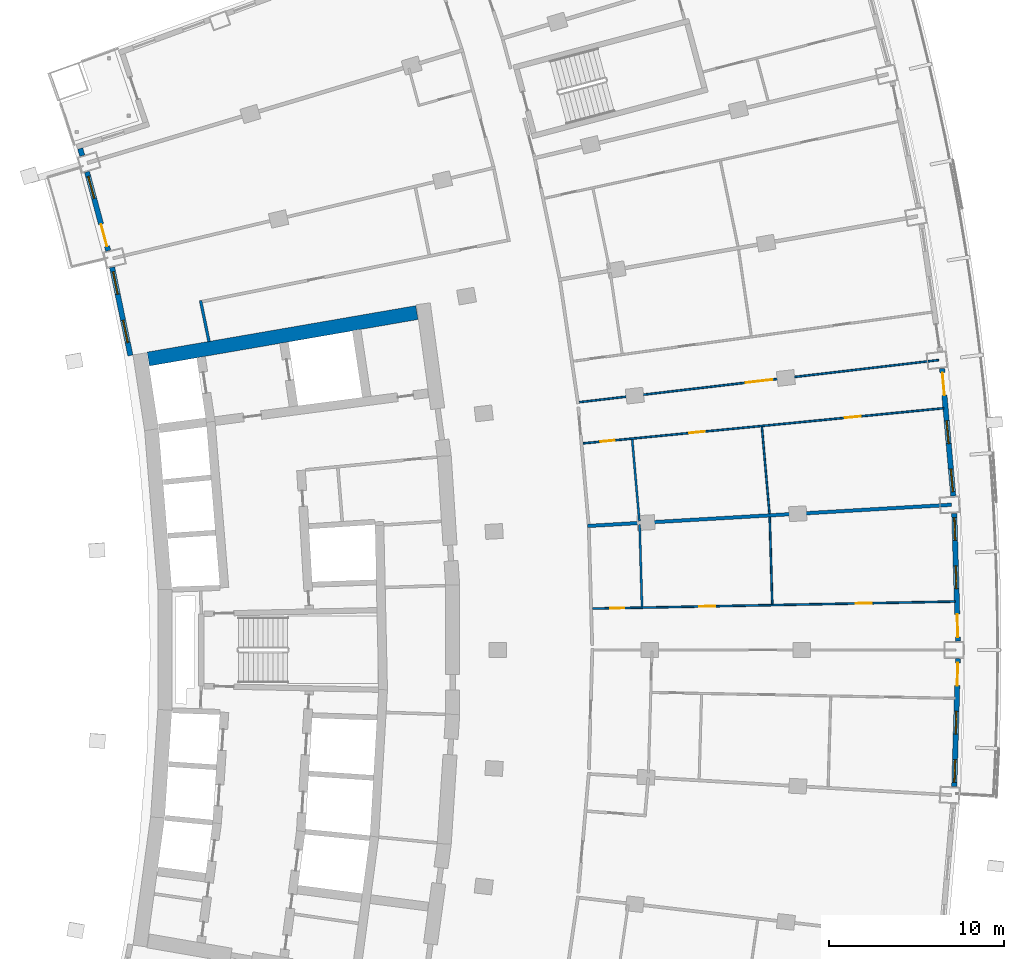
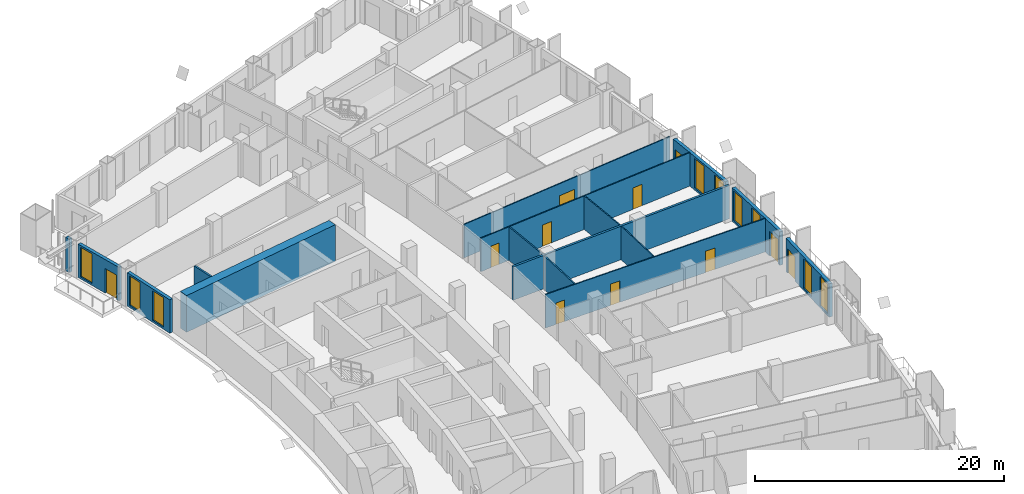
# One storey, part 18 of 25: 16 walls, 11 doors, 9 windows, 20 openings.
"""IFC4 building model written with IfcOpenShell, lengths in metres."""

from ifc_helpers import new_model, si_unit, direction, frame, frame_2d, origin, place, context, subcontext, project, spatial, rectangle, extrude, material, layer, layer_set, type_object, element, fill, save


model = new_model("IFC4")

# Units and contexts
model_context = context("Model", 3, precision=1e-05, world=origin(), true_north=direction((0.0, 1.0)))
body_context = subcontext(model_context, "Body", "Model", "MODEL_VIEW")
ifc_project = project(units=[si_unit("LENGTHUNIT", "METRE"), si_unit("AREAUNIT", "SQUARE_METRE"), si_unit("VOLUMEUNIT", "CUBIC_METRE"), si_unit("PLANEANGLEUNIT", "RADIAN"), si_unit("MASSUNIT", "GRAM", prefix="KILO")], contexts=[model_context])

# Site, building, storey
site_placement = place(None, origin())
site = spatial("IfcSite", under=ifc_project, at=site_placement, CompositionType="ELEMENT")
building_placement = place(site_placement, origin())
building = spatial("IfcBuilding", under=site, at=building_placement, Name="Alderwake Tower", CompositionType="ELEMENT")
storey_placement = place(building_placement, frame((0.0, 0.0, 89.60009765625)))
storey = spatial("IfcBuildingStorey", under=building, at=storey_placement, Name="L21", CompositionType="ELEMENT", Elevation=89.60009765625)

# Walls
ifc_material_1 = material(Name="Concrete C70/85", Category="concrete")
ifc_layer_1 = layer(ifc_material_1, 0.800048828125)
ifc_layer_set_1 = layer_set([ifc_layer_1], Name="Core wall outer 800 C70-85")
wall_type_1 = type_object("IfcWallType", Name="Core wall outer 800 C70-85", PredefinedType="SHEAR", material=ifc_layer_set_1)
wall_1_placement = place(storey_placement, frame((15.900146484375, 77.577880859375, 0.0), z_axis=(0.0, 0.0, 1.0), x_axis=(0.985386601125, 0.170332751763, 0.0)))
element("IfcWall", 1, at=wall_1_placement, inside=storey, type_object=wall_type_1, Name="Core wall CW.054", PredefinedType="SHEAR", context=body_context, shape_type="SweptSolid", body=[
    extrude(rectangle(XDim=15.531494140625, YDim=0.800048828125, at=frame_2d((7.765625, 0.0))), origin(), (0.0, 0.0, 1.0), 3.599853515625),
])
ifc_material_2 = material(Name="Gypsum board on metal studs, rated")
ifc_layer_2 = layer(ifc_material_2, 0.159912109375)
ifc_layer_set_2 = layer_set([ifc_layer_2], Name="Corridor wall 160")
wall_type_2 = type_object("IfcWallType", Name="Corridor wall 160", PredefinedType="PARTITIONING", material=ifc_layer_set_2)
wall_2_placement = place(storey_placement, frame((18.874755859375, 80.910400390625, 0.0), z_axis=(0.0, 0.0, 1.0), x_axis=(0.202312089075, -0.979321100873, 0.0)))
element("IfcWall", 2, at=wall_2_placement, inside=storey, type_object=wall_type_2, Name="WL/L21/W18", PredefinedType="PARTITIONING", context=body_context, shape_type="SweptSolid", body=[
    extrude(rectangle(XDim=2.39306640625, YDim=0.159912109375, at=frame_2d((1.196533203125, 0.0))), origin(), (0.0, 0.0, 1.0), 3.27978515625),
])

# Wall, openings, door, windows
ifc_material_3 = material(Name="Precast concrete C50/60 spandrel panel", Category="concrete")
ifc_layer_3 = layer(ifc_material_3, 0.300048828125)
ifc_layer_set_3 = layer_set([ifc_layer_3], Name="External wall EW1 Precast concrete C50/60 spandrel")
wall_type_3 = type_object("IfcWallType", Name="External wall EW1 Precast concrete C50/60 spandrel", PredefinedType="SOLIDWALL", material=ifc_layer_set_3)
wall_3_placement = place(storey_placement, frame((61.822998046875, 53.217041015625, 0.0), z_axis=(0.0, 0.0, 1.0), x_axis=(0.029146039904, 0.999575163936, 0.0)))
wall_3 = element("IfcWall", 3, at=wall_3_placement, inside=storey, type_object=wall_type_3, Name="External wall 16", PredefinedType="SOLIDWALL", context=body_context, shape_type="SweptSolid", body=[
    extrude(rectangle(XDim=7.28759765625, YDim=0.300048828125, at=frame_2d((3.643798828125, 0.0))), origin(), (0.0, 0.0, 1.0), 3.27978515625),
])
opening_1_placement = place(wall_3_placement, frame((0.23681640625, 0.0, 0.199951171875)))
opening_1 = element("IfcOpeningElement", 4, at=opening_1_placement, cuts=wall_3, Name="Opening W1", PredefinedType="OPENING", context=body_context, shape_type="SweptSolid", body=[
    extrude(rectangle(XDim=1.300048828125, YDim=2.89990234375, at=frame_2d((0.64990234375, 1.449951171875))), frame((0.0, 0.159912109375, 0.0), z_axis=(0.0, -1.0, 0.0), x_axis=(1.0, 0.0, 0.0)), (0.0, 0.0, 1.0), 0.320068359375),
])
opening_2_placement = place(wall_3_placement, frame((2.99365234375, 0.0, 0.199951171875)))
opening_2 = element("IfcOpeningElement", 5, at=opening_2_placement, cuts=wall_3, Name="Opening W1", PredefinedType="OPENING", context=body_context, shape_type="SweptSolid", body=[
    extrude(rectangle(XDim=1.300048828125, YDim=2.89990234375, at=frame_2d((0.64990234375, 1.449951171875))), frame((0.0, 0.159912109375, 0.0), z_axis=(0.0, -1.0, 0.0), x_axis=(1.0, 0.0, 0.0)), (0.0, 0.0, 1.0), 0.320068359375),
])
opening_3_placement = place(wall_3_placement, frame((5.75048828125, 0.0, 0.0)))
opening_3 = element("IfcOpeningElement", 6, at=opening_3_placement, cuts=wall_3, Name="Opening D06", PredefinedType="OPENING", context=body_context, shape_type="SweptSolid", body=[
    extrude(rectangle(XDim=1.300048828125, YDim=2.39990234375, at=frame_2d((0.64990234375, 1.199951171875))), frame((0.0, 0.159912109375, 0.0), z_axis=(0.0, -1.0, 0.0), x_axis=(1.0, 0.0, 0.0)), (0.0, 0.0, 1.0), 0.320068359375),
])
ifc_material_4 = material(Name="Bronze tinted glass in aluminium frame", Category="aluminium")
door_type_1 = type_object("IfcDoorType", Name="Balcony door BD sliding", OperationType="SLIDING_TO_LEFT", PredefinedType="DOOR", material=ifc_material_4)
door_1_placement = place(opening_3_placement, origin())
door_1 = element("IfcDoor", 7, at=door_1_placement, inside=storey, type_object=door_type_1, Name="Door D06", OperationType="SLIDING_TO_LEFT", OverallHeight=2.39990234375, OverallWidth=1.300048828125, PredefinedType="DOOR", context=body_context, shape_type="SweptSolid", body=[
    extrude(rectangle(XDim=1.300048828125, YDim=2.39990234375, at=frame_2d((0.64990234375, 1.199951171875))), frame((0.0, 0.02490234375, 0.0), z_axis=(0.0, -1.0, 0.0), x_axis=(1.0, 0.0, 0.0)), (0.0, 0.0, 1.0), 0.050048828125),
])
fill(opening_3, door_1)
ifc_material_5 = material(Name="Bronze tinted glass in aluminium frame", Category="aluminium")
window_type = type_object("IfcWindowType", Name="Window W1 tall fixed and vent", PartitioningType="DOUBLE_PANEL_VERTICAL", PredefinedType="WINDOW", material=ifc_material_5)
window_1_placement = place(opening_1_placement, origin())
window_1 = element("IfcWindow", 8, at=window_1_placement, inside=storey, type_object=window_type, Name="Window W1 tall fixed and vent", OverallHeight=2.89990234375, OverallWidth=1.300048828125, PartitioningType="DOUBLE_PANEL_VERTICAL", PredefinedType="WINDOW", context=body_context, shape_type="SweptSolid", body=[
    extrude(rectangle(XDim=1.300048828125, YDim=2.89990234375, at=frame_2d((0.64990234375, 1.449951171875))), frame((0.0, 0.030029296875, 0.0), z_axis=(0.0, -1.0, 0.0), x_axis=(1.0, 0.0, 0.0)), (0.0, 0.0, 1.0), 0.06005859375),
])
fill(opening_1, window_1)
window_2_placement = place(opening_2_placement, origin())
window_2 = element("IfcWindow", 9, at=window_2_placement, inside=storey, type_object=window_type, Name="Window W1 tall fixed and vent", OverallHeight=2.89990234375, OverallWidth=1.300048828125, PartitioningType="DOUBLE_PANEL_VERTICAL", PredefinedType="WINDOW", context=body_context, shape_type="SweptSolid", body=[
    extrude(rectangle(XDim=1.300048828125, YDim=2.89990234375, at=frame_2d((0.64990234375, 1.449951171875))), frame((0.0, 0.030029296875, 0.0), z_axis=(0.0, -1.0, 0.0), x_axis=(1.0, 0.0, 0.0)), (0.0, 0.0, 1.0), 0.06005859375),
])
fill(opening_2, window_2)

wall_4_placement = place(storey_placement, frame((62.035400390625, 61.49853515625, 0.0), z_axis=(0.0, 0.0, 1.0), x_axis=(-0.029146039904, 0.999575163936, 0.0)))
wall_4 = element("IfcWall", 10, at=wall_4_placement, inside=storey, type_object=wall_type_3, Name="External wall 17", PredefinedType="SOLIDWALL", context=body_context, shape_type="SweptSolid", body=[
    extrude(rectangle(XDim=7.28759765625, YDim=0.300048828125, at=frame_2d((3.643798828125, 0.0))), origin(), (0.0, 0.0, 1.0), 3.27978515625),
])
opening_4_placement = place(wall_4_placement, frame((0.23681640625, 0.0, 0.0)))
opening_4 = element("IfcOpeningElement", 11, at=opening_4_placement, cuts=wall_4, Name="Opening D07", PredefinedType="OPENING", context=body_context, shape_type="SweptSolid", body=[
    extrude(rectangle(XDim=1.300048828125, YDim=2.39990234375, at=frame_2d((0.64990234375, 1.199951171875))), frame((0.0, 0.159912109375, 0.0), z_axis=(0.0, -1.0, 0.0), x_axis=(1.0, 0.0, 0.0)), (0.0, 0.0, 1.0), 0.320068359375),
])
opening_5_placement = place(wall_4_placement, frame((2.99365234375, 0.0, 0.199951171875)))
opening_5 = element("IfcOpeningElement", 12, at=opening_5_placement, cuts=wall_4, Name="Opening W1", PredefinedType="OPENING", context=body_context, shape_type="SweptSolid", body=[
    extrude(rectangle(XDim=1.300048828125, YDim=2.89990234375, at=frame_2d((0.64990234375, 1.449951171875))), frame((0.0, 0.159912109375, 0.0), z_axis=(0.0, -1.0, 0.0), x_axis=(1.0, 0.0, 0.0)), (0.0, 0.0, 1.0), 0.320068359375),
])
opening_6_placement = place(wall_4_placement, frame((5.75048828125, 0.0, 0.199951171875)))
opening_6 = element("IfcOpeningElement", 13, at=opening_6_placement, cuts=wall_4, Name="Opening W1", PredefinedType="OPENING", context=body_context, shape_type="SweptSolid", body=[
    extrude(rectangle(XDim=1.300048828125, YDim=2.89990234375, at=frame_2d((0.64990234375, 1.449951171875))), frame((0.0, 0.159912109375, 0.0), z_axis=(0.0, -1.0, 0.0), x_axis=(1.0, 0.0, 0.0)), (0.0, 0.0, 1.0), 0.320068359375),
])
door_2_placement = place(opening_4_placement, origin())
door_2 = element("IfcDoor", 14, at=door_2_placement, inside=storey, type_object=door_type_1, Name="Door D07", OperationType="SLIDING_TO_LEFT", OverallHeight=2.39990234375, OverallWidth=1.300048828125, PredefinedType="DOOR", context=body_context, shape_type="SweptSolid", body=[
    extrude(rectangle(XDim=1.300048828125, YDim=2.39990234375, at=frame_2d((0.64990234375, 1.199951171875))), frame((0.0, 0.02490234375, 0.0), z_axis=(0.0, -1.0, 0.0), x_axis=(1.0, 0.0, 0.0)), (0.0, 0.0, 1.0), 0.050048828125),
])
fill(opening_4, door_2)
window_3_placement = place(opening_5_placement, origin())
window_3 = element("IfcWindow", 15, at=window_3_placement, inside=storey, type_object=window_type, Name="Window W1 tall fixed and vent", OverallHeight=2.89990234375, OverallWidth=1.300048828125, PartitioningType="DOUBLE_PANEL_VERTICAL", PredefinedType="WINDOW", context=body_context, shape_type="SweptSolid", body=[
    extrude(rectangle(XDim=1.300048828125, YDim=2.89990234375, at=frame_2d((0.64990234375, 1.449951171875))), frame((0.0, 0.030029296875, 0.0), z_axis=(0.0, -1.0, 0.0), x_axis=(1.0, 0.0, 0.0)), (0.0, 0.0, 1.0), 0.06005859375),
])
fill(opening_5, window_3)
window_4_placement = place(opening_6_placement, origin())
window_4 = element("IfcWindow", 16, at=window_4_placement, inside=storey, type_object=window_type, Name="Window W1 tall fixed and vent", OverallHeight=2.89990234375, OverallWidth=1.300048828125, PartitioningType="DOUBLE_PANEL_VERTICAL", PredefinedType="WINDOW", context=body_context, shape_type="SweptSolid", body=[
    extrude(rectangle(XDim=1.300048828125, YDim=2.89990234375, at=frame_2d((0.64990234375, 1.449951171875))), frame((0.0, 0.030029296875, 0.0), z_axis=(0.0, -1.0, 0.0), x_axis=(1.0, 0.0, 0.0)), (0.0, 0.0, 1.0), 0.06005859375),
])
fill(opening_6, window_4)

wall_5_placement = place(storey_placement, frame((61.764892578125, 69.778564453125, 0.0), z_axis=(0.0, 0.0, 1.0), x_axis=(-0.087408828745, 0.996172523541, 0.0)))
wall_5 = element("IfcWall", 17, at=wall_5_placement, inside=storey, type_object=wall_type_3, Name="External wall 18", PredefinedType="SOLIDWALL", context=body_context, shape_type="SweptSolid", body=[
    extrude(rectangle(XDim=7.287109375, YDim=0.300048828125, at=frame_2d((3.6435546875, 0.0))), origin(), (0.0, 0.0, 1.0), 3.27978515625),
])
opening_7_placement = place(wall_5_placement, frame((0.23681640625, 0.0, 0.199951171875)))
opening_7 = element("IfcOpeningElement", 18, at=opening_7_placement, cuts=wall_5, Name="Opening W1", PredefinedType="OPENING", context=body_context, shape_type="SweptSolid", body=[
    extrude(rectangle(XDim=1.300048828125, YDim=2.89990234375, at=frame_2d((0.64990234375, 1.449951171875))), frame((0.0, 0.159912109375, 0.0), z_axis=(0.0, -1.0, 0.0), x_axis=(1.0, 0.0, 0.0)), (0.0, 0.0, 1.0), 0.320068359375),
])
opening_8_placement = place(wall_5_placement, frame((2.99365234375, 0.0, 0.199951171875)))
opening_8 = element("IfcOpeningElement", 19, at=opening_8_placement, cuts=wall_5, Name="Opening W1", PredefinedType="OPENING", context=body_context, shape_type="SweptSolid", body=[
    extrude(rectangle(XDim=1.300048828125, YDim=2.89990234375, at=frame_2d((0.64990234375, 1.449951171875))), frame((0.0, 0.159912109375, 0.0), z_axis=(0.0, -1.0, 0.0), x_axis=(1.0, 0.0, 0.0)), (0.0, 0.0, 1.0), 0.320068359375),
])
opening_9_placement = place(wall_5_placement, frame((5.75048828125, 0.0, 0.0)))
opening_9 = element("IfcOpeningElement", 20, at=opening_9_placement, cuts=wall_5, Name="Opening D08", PredefinedType="OPENING", context=body_context, shape_type="SweptSolid", body=[
    extrude(rectangle(XDim=1.300048828125, YDim=2.39990234375, at=frame_2d((0.64990234375, 1.199951171875))), frame((0.0, 0.159912109375, 0.0), z_axis=(0.0, -1.0, 0.0), x_axis=(1.0, 0.0, 0.0)), (0.0, 0.0, 1.0), 0.320068359375),
])
door_3_placement = place(opening_9_placement, origin())
door_3 = element("IfcDoor", 21, at=door_3_placement, inside=storey, type_object=door_type_1, Name="Door D08", OperationType="SLIDING_TO_LEFT", OverallHeight=2.39990234375, OverallWidth=1.300048828125, PredefinedType="DOOR", context=body_context, shape_type="SweptSolid", body=[
    extrude(rectangle(XDim=1.300048828125, YDim=2.39990234375, at=frame_2d((0.64990234375, 1.199951171875))), frame((0.0, 0.02490234375, 0.0), z_axis=(0.0, -1.0, 0.0), x_axis=(1.0, 0.0, 0.0)), (0.0, 0.0, 1.0), 0.050048828125),
])
fill(opening_9, door_3)
window_5_placement = place(opening_7_placement, origin())
window_5 = element("IfcWindow", 22, at=window_5_placement, inside=storey, type_object=window_type, Name="Window W1 tall fixed and vent", OverallHeight=2.89990234375, OverallWidth=1.300048828125, PartitioningType="DOUBLE_PANEL_VERTICAL", PredefinedType="WINDOW", context=body_context, shape_type="SweptSolid", body=[
    extrude(rectangle(XDim=1.300048828125, YDim=2.89990234375, at=frame_2d((0.64990234375, 1.449951171875))), frame((0.0, 0.030029296875, 0.0), z_axis=(0.0, -1.0, 0.0), x_axis=(1.0, 0.0, 0.0)), (0.0, 0.0, 1.0), 0.06005859375),
])
fill(opening_7, window_5)
window_6_placement = place(opening_8_placement, origin())
window_6 = element("IfcWindow", 23, at=window_6_placement, inside=storey, type_object=window_type, Name="Window W1 tall fixed and vent", OverallHeight=2.89990234375, OverallWidth=1.300048828125, PartitioningType="DOUBLE_PANEL_VERTICAL", PredefinedType="WINDOW", context=body_context, shape_type="SweptSolid", body=[
    extrude(rectangle(XDim=1.300048828125, YDim=2.89990234375, at=frame_2d((0.64990234375, 1.449951171875))), frame((0.0, 0.030029296875, 0.0), z_axis=(0.0, -1.0, 0.0), x_axis=(1.0, 0.0, 0.0)), (0.0, 0.0, 1.0), 0.06005859375),
])
fill(opening_8, window_6)

# Wall
wall_6_placement = place(storey_placement, frame((12.01416015625, 89.5703125, 0.0), z_axis=(0.0, 0.0, 1.0), x_axis=(0.294567190983, -0.955630770746, 0.0)))
element("IfcWall", 24, at=wall_6_placement, inside=storey, type_object=wall_type_3, Name="External wall 32", PredefinedType="SOLIDWALL", context=body_context, shape_type="SweptSolid", body=[
    extrude(rectangle(XDim=0.427734375, YDim=0.300048828125, at=frame_2d((0.2138671875, 0.0))), origin(), (0.0, 0.0, 1.0), 3.27978515625),
])

# Wall, openings, door, window
wall_7_placement = place(storey_placement, frame((12.406494140625, 88.237548828125, 0.0), z_axis=(0.0, 0.0, 1.0), x_axis=(0.259468933642, -0.965751454814, 0.0)))
wall_7 = element("IfcWall", 25, at=wall_7_placement, inside=storey, type_object=wall_type_3, Name="External wall 33", PredefinedType="SOLIDWALL", context=body_context, shape_type="SweptSolid", body=[
    extrude(rectangle(XDim=4.65087890625, YDim=0.300048828125, at=frame_2d((2.325439453125, 0.0))), origin(), (0.0, 0.0, 1.0), 3.27978515625),
])
opening_10_placement = place(wall_7_placement, frame((0.26708984375, 0.0, 0.199951171875)))
opening_10 = element("IfcOpeningElement", 26, at=opening_10_placement, cuts=wall_7, Name="Opening W1", PredefinedType="OPENING", context=body_context, shape_type="SweptSolid", body=[
    extrude(rectangle(XDim=1.300048828125, YDim=2.89990234375, at=frame_2d((0.64990234375, 1.449951171875))), frame((0.0, 0.159912109375, 0.0), z_axis=(0.0, -1.0, 0.0), x_axis=(1.0, 0.0, 0.0)), (0.0, 0.0, 1.0), 0.320068359375),
])
opening_11_placement = place(wall_7_placement, frame((3.083984375, 0.0, 0.0)))
opening_11 = element("IfcOpeningElement", 27, at=opening_11_placement, cuts=wall_7, Name="Opening D14", PredefinedType="OPENING", context=body_context, shape_type="SweptSolid", body=[
    extrude(rectangle(XDim=1.300048828125, YDim=2.39990234375, at=frame_2d((0.64990234375, 1.199951171875))), frame((0.0, 0.159912109375, 0.0), z_axis=(0.0, -1.0, 0.0), x_axis=(1.0, 0.0, 0.0)), (0.0, 0.0, 1.0), 0.320068359375),
])
door_4_placement = place(opening_11_placement, origin())
door_4 = element("IfcDoor", 28, at=door_4_placement, inside=storey, type_object=door_type_1, Name="Door D14", OperationType="SLIDING_TO_LEFT", OverallHeight=2.39990234375, OverallWidth=1.300048828125, PredefinedType="DOOR", context=body_context, shape_type="SweptSolid", body=[
    extrude(rectangle(XDim=1.300048828125, YDim=2.39990234375, at=frame_2d((0.64990234375, 1.199951171875))), frame((0.0, 0.02490234375, 0.0), z_axis=(0.0, -1.0, 0.0), x_axis=(1.0, 0.0, 0.0)), (0.0, 0.0, 1.0), 0.050048828125),
])
fill(opening_11, door_4)
window_7_placement = place(opening_10_placement, origin())
window_7 = element("IfcWindow", 29, at=window_7_placement, inside=storey, type_object=window_type, Name="Window W1 tall fixed and vent", OverallHeight=2.89990234375, OverallWidth=1.300048828125, PartitioningType="DOUBLE_PANEL_VERTICAL", PredefinedType="WINDOW", context=body_context, shape_type="SweptSolid", body=[
    extrude(rectangle(XDim=1.300048828125, YDim=2.89990234375, at=frame_2d((0.64990234375, 1.449951171875))), frame((0.0, 0.030029296875, 0.0), z_axis=(0.0, -1.0, 0.0), x_axis=(1.0, 0.0, 0.0)), (0.0, 0.0, 1.0), 0.06005859375),
])
fill(opening_10, window_7)

# Wall, openings, windows
wall_8_placement = place(storey_placement, frame((13.83740234375, 82.803955078125, 0.0), z_axis=(0.0, 0.0, 1.0), x_axis=(0.202723539143, -0.979236011734, 0.0)))
wall_8 = element("IfcWall", 30, at=wall_8_placement, inside=storey, type_object=wall_type_3, Name="External wall 34", PredefinedType="SOLIDWALL", context=body_context, shape_type="SweptSolid", body=[
    extrude(rectangle(XDim=5.134033203125, YDim=0.300048828125, at=frame_2d((2.56689453125, 0.0))), origin(), (0.0, 0.0, 1.0), 3.27978515625),
])
opening_12_placement = place(wall_8_placement, frame((0.264892578125, 0.0, 0.199951171875)))
opening_12 = element("IfcOpeningElement", 31, at=opening_12_placement, cuts=wall_8, Name="Opening W1", PredefinedType="OPENING", context=body_context, shape_type="SweptSolid", body=[
    extrude(rectangle(XDim=1.300048828125, YDim=2.89990234375, at=frame_2d((0.64990234375, 1.449951171875))), frame((0.0, 0.159912109375, 0.0), z_axis=(0.0, -1.0, 0.0), x_axis=(1.0, 0.0, 0.0)), (0.0, 0.0, 1.0), 0.320068359375),
])
opening_13_placement = place(wall_8_placement, frame((3.077392578125, 0.0, 0.199951171875)))
opening_13 = element("IfcOpeningElement", 32, at=opening_13_placement, cuts=wall_8, Name="Opening W1", PredefinedType="OPENING", context=body_context, shape_type="SweptSolid", body=[
    extrude(rectangle(XDim=1.300048828125, YDim=2.89990234375, at=frame_2d((0.64990234375, 1.449951171875))), frame((0.0, 0.159912109375, 0.0), z_axis=(0.0, -1.0, 0.0), x_axis=(1.0, 0.0, 0.0)), (0.0, 0.0, 1.0), 0.320068359375),
])
window_8_placement = place(opening_12_placement, origin())
window_8 = element("IfcWindow", 33, at=window_8_placement, inside=storey, type_object=window_type, Name="Window W1 tall fixed and vent", OverallHeight=2.89990234375, OverallWidth=1.300048828125, PartitioningType="DOUBLE_PANEL_VERTICAL", PredefinedType="WINDOW", context=body_context, shape_type="SweptSolid", body=[
    extrude(rectangle(XDim=1.300048828125, YDim=2.89990234375, at=frame_2d((0.64990234375, 1.449951171875))), frame((0.0, 0.030029296875, 0.0), z_axis=(0.0, -1.0, 0.0), x_axis=(1.0, 0.0, 0.0)), (0.0, 0.0, 1.0), 0.06005859375),
])
fill(opening_12, window_8)
window_9_placement = place(opening_13_placement, origin())
window_9 = element("IfcWindow", 34, at=window_9_placement, inside=storey, type_object=window_type, Name="Window W1 tall fixed and vent", OverallHeight=2.89990234375, OverallWidth=1.300048828125, PartitioningType="DOUBLE_PANEL_VERTICAL", PredefinedType="WINDOW", context=body_context, shape_type="SweptSolid", body=[
    extrude(rectangle(XDim=1.300048828125, YDim=2.89990234375, at=frame_2d((0.64990234375, 1.449951171875))), frame((0.0, 0.030029296875, 0.0), z_axis=(0.0, -1.0, 0.0), x_axis=(1.0, 0.0, 0.0)), (0.0, 0.0, 1.0), 0.06005859375),
])
fill(opening_13, window_9)

# Wall
ifc_material_6 = material(Name="Dense block masonry wall", Category="masonry")
ifc_layer_4 = layer(ifc_material_6, 0.199951171875)
ifc_layer_set_4 = layer_set([ifc_layer_4], Name="Party wall 200")
wall_type_4 = type_object("IfcWallType", Name="Party wall 200", PredefinedType="SOLIDWALL", material=ifc_layer_set_4)
wall_9_placement = place(storey_placement, frame((61.658935546875, 69.27294921875, 0.0), z_axis=(0.0, 0.0, 1.0), x_axis=(-0.998301170221, -0.05826468515, 0.0)))
element("IfcWall", 35, at=wall_9_placement, inside=storey, type_object=wall_type_4, Name="WL/L21/W10", PredefinedType="SOLIDWALL", context=body_context, shape_type="SweptSolid", body=[
    extrude(rectangle(XDim=20.779296875, YDim=0.199951171875, at=frame_2d((10.3896484375, 0.0))), origin(), (0.0, 0.0, 1.0), 3.27978515625),
])

# Wall, openings, doors
ifc_material_7 = material(Name="Gypsum board on metal studs")
ifc_layer_5 = layer(ifc_material_7, 0.10009765625)
ifc_layer_set_5 = layer_set([ifc_layer_5], Name="Unit partition 100")
wall_type_5 = type_object("IfcWallType", Name="Unit partition 100", PredefinedType="PARTITIONING", material=ifc_layer_set_5)
wall_10_placement = place(storey_placement, frame((61.22705078125, 74.77490234375, 0.0), z_axis=(0.0, 0.0, 1.0), x_axis=(-0.995280953479, -0.097035167034, 0.0)))
wall_10 = element("IfcWall", 36, at=wall_10_placement, inside=storey, type_object=wall_type_5, Name="WL/L21/W70", PredefinedType="PARTITIONING", context=body_context, shape_type="SweptSolid", body=[
    extrude(rectangle(XDim=20.663818359375, YDim=0.10009765625, at=frame_2d((10.33203125, 0.0))), origin(), (0.0, 0.0, 1.0), 3.27978515625),
])
opening_14_placement = place(wall_10_placement, frame((13.681640625, 0.0, 0.0)))
opening_14 = element("IfcOpeningElement", 37, at=opening_14_placement, cuts=wall_10, Name="Opening R05-U07.1", PredefinedType="OPENING", context=body_context, shape_type="SweptSolid", body=[
    extrude(rectangle(XDim=0.89990234375, YDim=2.10009765625, at=frame_2d((0.449951171875, 1.050048828125))), frame((0.0, 0.06005859375, 0.0), z_axis=(0.0, -1.0, 0.0), x_axis=(1.0, 0.0, 0.0)), (0.0, 0.0, 1.0), 0.1201171875),
])
opening_15_placement = place(wall_10_placement, frame((18.85400390625, 0.0, 0.0)))
opening_15 = element("IfcOpeningElement", 38, at=opening_15_placement, cuts=wall_10, Name="Opening R05-U07.3", PredefinedType="OPENING", context=body_context, shape_type="SweptSolid", body=[
    extrude(rectangle(XDim=0.800048828125, YDim=2.10009765625, at=frame_2d((0.39990234375, 1.050048828125))), frame((0.0, 0.06005859375, 0.0), z_axis=(0.0, -1.0, 0.0), x_axis=(1.0, 0.0, 0.0)), (0.0, 0.0, 1.0), 0.1201171875),
])
opening_16_placement = place(wall_10_placement, frame((4.759765625, 0.0, 0.0)))
opening_16 = element("IfcOpeningElement", 39, at=opening_16_placement, cuts=wall_10, Name="Opening R05-U07.4", PredefinedType="OPENING", context=body_context, shape_type="SweptSolid", body=[
    extrude(rectangle(XDim=0.89990234375, YDim=2.10009765625, at=frame_2d((0.449951171875, 1.050048828125))), frame((0.0, 0.06005859375, 0.0), z_axis=(0.0, -1.0, 0.0), x_axis=(1.0, 0.0, 0.0)), (0.0, 0.0, 1.0), 0.1201171875),
])
ifc_material_8 = material(Name="Painted timber leaf", Category="wood")
door_type_2 = type_object("IfcDoorType", Name="Bathroom door 800", OperationType="SINGLE_SWING_LEFT", PredefinedType="DOOR", material=ifc_material_8)
door_5_placement = place(opening_15_placement, origin())
door_5 = element("IfcDoor", 40, at=door_5_placement, inside=storey, type_object=door_type_2, Name="DR/L21/U07.3", OperationType="SINGLE_SWING_LEFT", OverallHeight=2.10009765625, OverallWidth=0.800048828125, PredefinedType="DOOR", context=body_context, shape_type="SweptSolid", body=[
    extrude(rectangle(XDim=0.800048828125, YDim=2.10009765625, at=frame_2d((0.39990234375, 1.050048828125))), frame((0.0, 0.02490234375, 0.0), z_axis=(0.0, -1.0, 0.0), x_axis=(1.0, 0.0, 0.0)), (0.0, 0.0, 1.0), 0.050048828125),
])
fill(opening_15, door_5)
ifc_material_9 = material(Name="Painted timber leaf", Category="wood")
door_type_3 = type_object("IfcDoorType", Name="Room door 900", OperationType="SINGLE_SWING_LEFT", PredefinedType="DOOR", material=ifc_material_9)
door_6_placement = place(opening_14_placement, origin())
door_6 = element("IfcDoor", 41, at=door_6_placement, inside=storey, type_object=door_type_3, Name="DR/L21/U07.1", OperationType="SINGLE_SWING_LEFT", OverallHeight=2.10009765625, OverallWidth=0.89990234375, PredefinedType="DOOR", context=body_context, shape_type="SweptSolid", body=[
    extrude(rectangle(XDim=0.89990234375, YDim=2.10009765625, at=frame_2d((0.449951171875, 1.050048828125))), frame((0.0, 0.02490234375, 0.0), z_axis=(0.0, -1.0, 0.0), x_axis=(1.0, 0.0, 0.0)), (0.0, 0.0, 1.0), 0.050048828125),
])
fill(opening_14, door_6)
door_7_placement = place(opening_16_placement, origin())
door_7 = element("IfcDoor", 42, at=door_7_placement, inside=storey, type_object=door_type_3, Name="DR/L21/U07.4", OperationType="SINGLE_SWING_LEFT", OverallHeight=2.10009765625, OverallWidth=0.89990234375, PredefinedType="DOOR", context=body_context, shape_type="SweptSolid", body=[
    extrude(rectangle(XDim=0.89990234375, YDim=2.10009765625, at=frame_2d((0.449951171875, 1.050048828125))), frame((0.0, 0.02490234375, 0.0), z_axis=(0.0, -1.0, 0.0), x_axis=(1.0, 0.0, 0.0)), (0.0, 0.0, 1.0), 0.050048828125),
])
fill(opening_16, door_7)

wall_11_placement = place(storey_placement, frame((41.2099609375, 63.355712890625, 0.0), z_axis=(0.0, 0.0, 1.0), x_axis=(0.999809484555, 0.019519082812, 0.0)))
wall_11 = element("IfcWall", 43, at=wall_11_placement, inside=storey, type_object=wall_type_5, Name="WL/L21/W71", PredefinedType="PARTITIONING", context=body_context, shape_type="SweptSolid", body=[
    extrude(rectangle(XDim=20.662841796875, YDim=0.10009765625, at=frame_2d((10.33154296875, 0.0))), origin(), (0.0, 0.0, 1.0), 3.27978515625),
])
opening_17_placement = place(wall_11_placement, frame((6.082763671875, 0.0, 0.0)))
opening_17 = element("IfcOpeningElement", 44, at=opening_17_placement, cuts=wall_11, Name="Opening R05-U06.6", PredefinedType="OPENING", context=body_context, shape_type="SweptSolid", body=[
    extrude(rectangle(XDim=0.89990234375, YDim=2.10009765625, at=frame_2d((0.449951171875, 1.050048828125))), frame((0.0, 0.06005859375, 0.0), z_axis=(0.0, -1.0, 0.0), x_axis=(1.0, 0.0, 0.0)), (0.0, 0.0, 1.0), 0.1201171875),
])
opening_18_placement = place(wall_11_placement, frame((1.010009765625, 0.0, 0.0)))
opening_18 = element("IfcOpeningElement", 45, at=opening_18_placement, cuts=wall_11, Name="Opening R05-U06.7", PredefinedType="OPENING", context=body_context, shape_type="SweptSolid", body=[
    extrude(rectangle(XDim=0.800048828125, YDim=2.10009765625, at=frame_2d((0.39990234375, 1.050048828125))), frame((0.0, 0.06005859375, 0.0), z_axis=(0.0, -1.0, 0.0), x_axis=(1.0, 0.0, 0.0)), (0.0, 0.0, 1.0), 0.1201171875),
])
opening_19_placement = place(wall_11_placement, frame((15.004150390625, 0.0, 0.0)))
opening_19 = element("IfcOpeningElement", 46, at=opening_19_placement, cuts=wall_11, Name="Opening R05-U06.8", PredefinedType="OPENING", context=body_context, shape_type="SweptSolid", body=[
    extrude(rectangle(XDim=0.89990234375, YDim=2.10009765625, at=frame_2d((0.449951171875, 1.050048828125))), frame((0.0, 0.06005859375, 0.0), z_axis=(0.0, -1.0, 0.0), x_axis=(1.0, 0.0, 0.0)), (0.0, 0.0, 1.0), 0.1201171875),
])
door_8_placement = place(opening_18_placement, origin())
door_8 = element("IfcDoor", 47, at=door_8_placement, inside=storey, type_object=door_type_2, Name="DR/L21/U06.7", OperationType="SINGLE_SWING_LEFT", OverallHeight=2.10009765625, OverallWidth=0.800048828125, PredefinedType="DOOR", context=body_context, shape_type="SweptSolid", body=[
    extrude(rectangle(XDim=0.800048828125, YDim=2.10009765625, at=frame_2d((0.39990234375, 1.050048828125))), frame((0.0, 0.02490234375, 0.0), z_axis=(0.0, -1.0, 0.0), x_axis=(1.0, 0.0, 0.0)), (0.0, 0.0, 1.0), 0.050048828125),
])
fill(opening_18, door_8)
door_9_placement = place(opening_17_placement, origin())
door_9 = element("IfcDoor", 48, at=door_9_placement, inside=storey, type_object=door_type_3, Name="DR/L21/U06.6", OperationType="SINGLE_SWING_LEFT", OverallHeight=2.10009765625, OverallWidth=0.89990234375, PredefinedType="DOOR", context=body_context, shape_type="SweptSolid", body=[
    extrude(rectangle(XDim=0.89990234375, YDim=2.10009765625, at=frame_2d((0.449951171875, 1.050048828125))), frame((0.0, 0.02490234375, 0.0), z_axis=(0.0, -1.0, 0.0), x_axis=(1.0, 0.0, 0.0)), (0.0, 0.0, 1.0), 0.050048828125),
])
fill(opening_17, door_9)
door_10_placement = place(opening_19_placement, origin())
door_10 = element("IfcDoor", 49, at=door_10_placement, inside=storey, type_object=door_type_3, Name="DR/L21/U06.8", OperationType="SINGLE_SWING_LEFT", OverallHeight=2.10009765625, OverallWidth=0.89990234375, PredefinedType="DOOR", context=body_context, shape_type="SweptSolid", body=[
    extrude(rectangle(XDim=0.89990234375, YDim=2.10009765625, at=frame_2d((0.449951171875, 1.050048828125))), frame((0.0, 0.02490234375, 0.0), z_axis=(0.0, -1.0, 0.0), x_axis=(1.0, 0.0, 0.0)), (0.0, 0.0, 1.0), 0.050048828125),
])
fill(opening_19, door_10)

# Walls
wall_12_placement = place(storey_placement, frame((51.294189453125, 68.7666015625, 0.0), z_axis=(0.0, 0.0, 1.0), x_axis=(-0.087352937881, 0.996177426086, 0.0)))
element("IfcWall", 50, at=wall_12_placement, inside=storey, type_object=wall_type_5, Name="WL/L21/W82", PredefinedType="PARTITIONING", context=body_context, shape_type="SweptSolid", body=[
    extrude(rectangle(XDim=4.966552734375, YDim=0.10009765625, at=frame_2d((2.4833984375, 0.0))), origin(), (0.0, 0.0, 1.0), 3.27978515625),
])
wall_13_placement = place(storey_placement, frame((51.451416015625, 63.60498046875, 0.0), z_axis=(0.0, 0.0, 1.0), x_axis=(-0.029312335146, 0.999570301184, 0.0)))
element("IfcWall", 51, at=wall_13_placement, inside=storey, type_object=wall_type_5, Name="WL/L21/W83", PredefinedType="PARTITIONING", context=body_context, shape_type="SweptSolid", body=[
    extrude(rectangle(XDim=4.964111328125, YDim=0.10009765625, at=frame_2d((2.48193359375, 0.0))), origin(), (0.0, 0.0, 1.0), 3.27978515625),
])

# Wall, opening, door
wall_14_placement = place(storey_placement, frame((40.45654296875, 75.1171875, 0.0), z_axis=(0.0, 0.0, 1.0), x_axis=(0.993203681346, 0.116389206376, 0.0)))
wall_14 = element("IfcWall", 52, at=wall_14_placement, inside=storey, type_object=wall_type_5, Name="WL/L21/W86", PredefinedType="PARTITIONING", context=body_context, shape_type="SweptSolid", body=[
    extrude(rectangle(XDim=20.61962890625, YDim=0.10009765625, at=frame_2d((10.309814453125, 0.0))), origin(), (0.0, 0.0, 1.0), 3.27978515625),
])
opening_20_placement = place(wall_14_placement, frame((9.5595703125, 0.0, 0.0)))
opening_20 = element("IfcOpeningElement", 53, at=opening_20_placement, cuts=wall_14, Name="Opening R05-U07.8", PredefinedType="OPENING", context=body_context, shape_type="SweptSolid", body=[
    extrude(rectangle(XDim=1.5, YDim=2.10009765625, at=frame_2d((0.75, 1.050048828125))), frame((0.0, 0.06005859375, 0.0), z_axis=(0.0, -1.0, 0.0), x_axis=(1.0, 0.0, 0.0)), (0.0, 0.0, 1.0), 0.1201171875),
])
ifc_material_10 = material(Name="Painted timber leaves", Category="wood")
door_type_4 = type_object("IfcDoorType", Name="Double leaf door 1500", OperationType="DOUBLE_DOOR_SINGLE_SWING", PredefinedType="DOOR", material=ifc_material_10)
door_11_placement = place(opening_20_placement, origin())
door_11 = element("IfcDoor", 54, at=door_11_placement, inside=storey, type_object=door_type_4, Name="DR/L21/U07.8", OperationType="DOUBLE_DOOR_SINGLE_SWING", OverallHeight=2.10009765625, OverallWidth=1.5, PredefinedType="DOOR", context=body_context, shape_type="SweptSolid", body=[
    extrude(rectangle(XDim=1.5, YDim=2.10009765625, at=frame_2d((0.75, 1.050048828125))), frame((0.0, 0.02490234375, 0.0), z_axis=(0.0, -1.0, 0.0), x_axis=(1.0, 0.0, 0.0)), (0.0, 0.0, 1.0), 0.050048828125),
])
fill(opening_20, door_11)

# Walls
ifc_material_11 = material(Name="Moisture resistant gypsum board on metal studs")
ifc_layer_6 = layer(ifc_material_11, 0.1201171875)
ifc_layer_set_6 = layer_set([ifc_layer_6], Name="Wet room partition 120")
wall_type_6 = type_object("IfcWallType", Name="Wet room partition 120", PredefinedType="PARTITIONING", material=ifc_layer_set_6)
wall_15_placement = place(storey_placement, frame((43.881103515625, 68.334716796875, 0.0), z_axis=(0.0, 0.0, 1.0), x_axis=(-0.087639255618, 0.996152277955, 0.0)))
element("IfcWall", 55, at=wall_15_placement, inside=storey, type_object=wall_type_6, Name="WL/L21/W58", PredefinedType="PARTITIONING", context=body_context, shape_type="SweptSolid", body=[
    extrude(rectangle(XDim=4.674560546875, YDim=0.1201171875, at=frame_2d((2.33740234375, 0.0))), origin(), (0.0, 0.0, 1.0), 3.27978515625),
])
wall_16_placement = place(storey_placement, frame((44.029541015625, 63.4609375, 0.0), z_axis=(0.0, 0.0, 1.0), x_axis=(-0.029237951874, 0.999572479698, 0.0)))
element("IfcWall", 56, at=wall_16_placement, inside=storey, type_object=wall_type_6, Name="WL/L21/W59", PredefinedType="PARTITIONING", context=body_context, shape_type="SweptSolid", body=[
    extrude(rectangle(XDim=4.676025390625, YDim=0.1201171875, at=frame_2d((2.337890625, 0.0))), origin(), (0.0, 0.0, 1.0), 3.27978515625),
])

save(model, "model.ifc")
